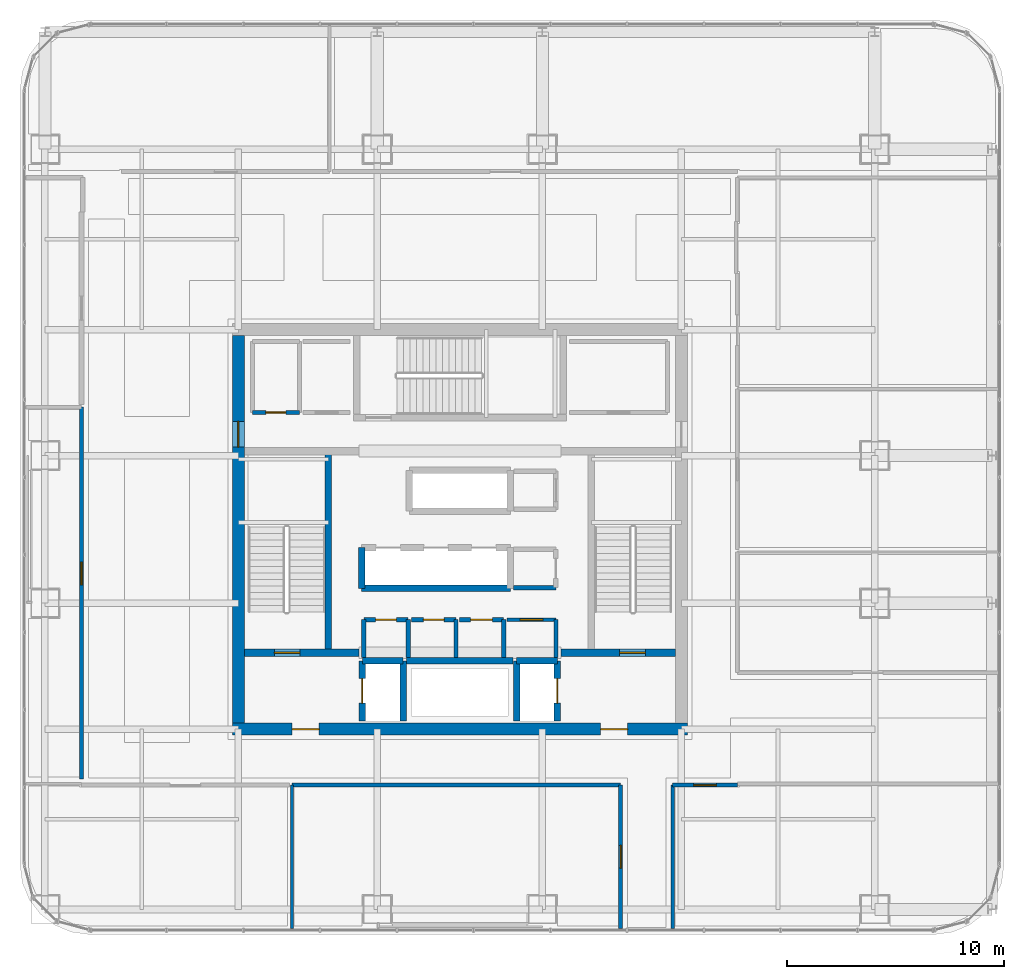
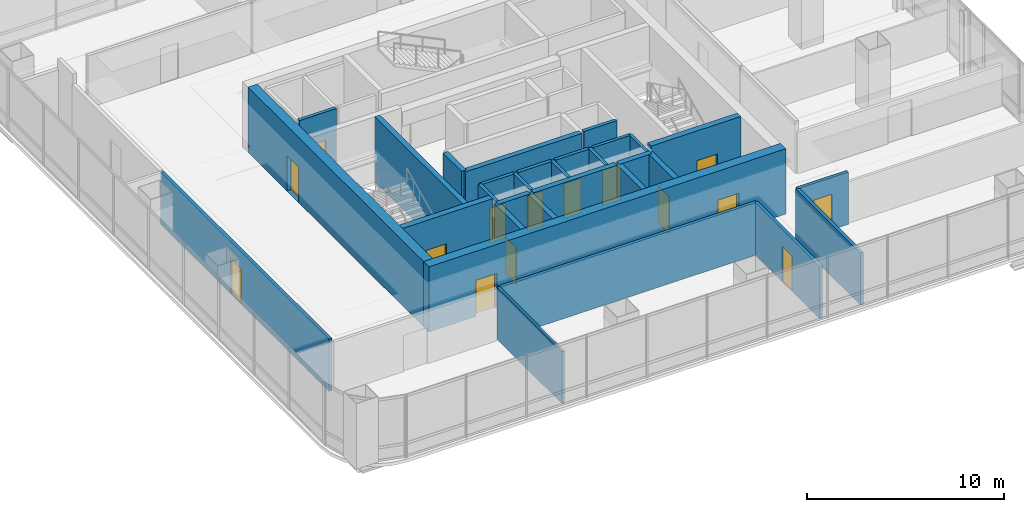
# One storey, part 33 of 42: 31 walls, 15 doors, 15 openings.
"""IFC4 building model written with IfcOpenShell, lengths in metres."""

from ifc_helpers import new_model, si_unit, direction, frame, frame_2d, origin, place, context, subcontext, project, spatial, rectangle, extrude, material, layer, layer_set, type_object, element, fill, save


model = new_model("IFC4")

# Units and contexts
model_context = context("Model", 3, precision=1e-05, world=origin(), true_north=direction((0.0, 1.0)))
body_context = subcontext(model_context, "Body", "Model", "MODEL_VIEW")
ifc_project = project(units=[si_unit("LENGTHUNIT", "METRE"), si_unit("AREAUNIT", "SQUARE_METRE"), si_unit("VOLUMEUNIT", "CUBIC_METRE"), si_unit("PLANEANGLEUNIT", "RADIAN"), si_unit("MASSUNIT", "GRAM", prefix="KILO")], contexts=[model_context])

# Site, building, storey
site_placement = place(None, origin())
site = spatial("IfcSite", under=ifc_project, at=site_placement, CompositionType="ELEMENT")
building_placement = place(site_placement, origin())
building = spatial("IfcBuilding", under=site, at=building_placement, Name="Punatoya Terracotta Tower", CompositionType="ELEMENT")
storey_placement = place(building_placement, frame((0.0, 0.0, 263.550048828125)))
storey = spatial("IfcBuildingStorey", under=building, at=storey_placement, Name="L62", CompositionType="ELEMENT", Elevation=263.550048828125)

# Wall, openings, doors
ifc_material_1 = material(Name="Concrete C50/60", Category="concrete")
ifc_layer_1 = layer(ifc_material_1, 0.550048828125)
ifc_layer_set_1 = layer_set([ifc_layer_1], Name="Concrete C50/60")
wall_type_1 = type_object("IfcWallType", Name="WL-COR-550", PredefinedType="SHEAR", material=ifc_layer_set_1)
wall_1_placement = place(storey_placement, frame((10.47509765625, -9.199951171875, 0.0), z_axis=(0.0, 0.0, 1.0), x_axis=(-1.0, 0.0, 0.0)))
wall_1 = element("IfcWall", 1, at=wall_1_placement, inside=storey, type_object=wall_type_1, Name="L62 Core Shear Wall S", PredefinedType="SHEAR", context=body_context, shape_type="SweptSolid", body=[
    extrude(rectangle(XDim=20.9501953125, YDim=0.550048828125, at=frame_2d((10.47509765625, 0.0))), origin(), (0.0, 0.0, 1.0), 4.050048828125),
])
opening_1_placement = place(wall_1_placement, frame((2.75, 0.0, 0.0)))
opening_1 = element("IfcOpeningElement", 2, at=opening_1_placement, cuts=wall_1, Name="Opening FD-L1", PredefinedType="OPENING", context=body_context, shape_type="SweptSolid", body=[
    extrude(rectangle(XDim=1.25, YDim=2.25, at=frame_2d((0.625, 1.125))), frame((0.0, 0.284912109375, 0.0), z_axis=(0.0, -1.0, 0.0), x_axis=(1.0, 0.0, 0.0)), (0.0, 0.0, 1.0), 0.570068359375),
])
opening_2_placement = place(wall_1_placement, frame((16.949951171875, 0.0, 0.0)))
opening_2 = element("IfcOpeningElement", 3, at=opening_2_placement, cuts=wall_1, Name="Opening FD-L1", PredefinedType="OPENING", context=body_context, shape_type="SweptSolid", body=[
    extrude(rectangle(XDim=1.25, YDim=2.25, at=frame_2d((0.625, 1.125))), frame((0.0, 0.284912109375, 0.0), z_axis=(0.0, -1.0, 0.0), x_axis=(1.0, 0.0, 0.0)), (0.0, 0.0, 1.0), 0.570068359375),
])
ifc_material_2 = material(Name="Galvanised Steel Smokeproof Fire Door", Category="steel")
door_type_1 = type_object("IfcDoorType", Name="DR-FFL-1250", OperationType="NOTDEFINED", PredefinedType="DOOR", material=ifc_material_2)
door_1_placement = place(opening_1_placement, origin())
door_1 = element("IfcDoor", 4, at=door_1_placement, inside=storey, type_object=door_type_1, Name="L62 East Firefighting Lobby Corridor Fire Door", OperationType="SINGLE_SWING_LEFT", OverallHeight=2.25, OverallWidth=1.25, PredefinedType="DOOR", context=body_context, shape_type="SweptSolid", body=[
    extrude(rectangle(XDim=1.25, YDim=2.25, at=frame_2d((0.625, 1.125))), frame((0.0, 0.02490234375, 0.0), z_axis=(0.0, -1.0, 0.0), x_axis=(1.0, 0.0, 0.0)), (0.0, 0.0, 1.0), 0.050048828125),
])
fill(opening_1, door_1)
door_2_placement = place(opening_2_placement, origin())
door_2 = element("IfcDoor", 5, at=door_2_placement, inside=storey, type_object=door_type_1, Name="L62 West Firefighting Lobby Corridor Fire Door", OperationType="SINGLE_SWING_RIGHT", OverallHeight=2.25, OverallWidth=1.25, PredefinedType="DOOR", context=body_context, shape_type="SweptSolid", body=[
    extrude(rectangle(XDim=1.25, YDim=2.25, at=frame_2d((0.625, 1.125))), frame((0.0, 0.02490234375, 0.0), z_axis=(0.0, -1.0, 0.0), x_axis=(1.0, 0.0, 0.0)), (0.0, 0.0, 1.0), 0.050048828125),
])
fill(opening_2, door_2)

# Wall, opening, door
wall_2_placement = place(storey_placement, frame((-10.199951171875, -8.925048828125, 0.0), z_axis=(0.0, 0.0, 1.0), x_axis=(0.0, 1.0, 0.0)))
wall_2 = element("IfcWall", 6, at=wall_2_placement, inside=storey, type_object=wall_type_1, Name="L62 Core Shear Wall W", PredefinedType="SHEAR", context=body_context, shape_type="SweptSolid", body=[
    extrude(rectangle(XDim=17.85009765625, YDim=0.550048828125, at=frame_2d((8.925048828125, 0.0))), origin(), (0.0, 0.0, 1.0), 4.050048828125),
])
opening_3_placement = place(wall_2_placement, frame((12.715087890625, 0.0, 0.0)))
opening_3 = element("IfcOpeningElement", 7, at=opening_3_placement, cuts=wall_2, Name="Opening SD-01", PredefinedType="OPENING", context=body_context, shape_type="SweptSolid", body=[
    extrude(rectangle(XDim=1.179931640625, YDim=2.199951171875, at=frame_2d((0.58984375, 1.10009765625))), frame((0.0, 0.284912109375, 0.0), z_axis=(0.0, -1.0, 0.0), x_axis=(1.0, 0.0, 0.0)), (0.0, 0.0, 1.0), 0.570068359375),
])
ifc_material_3 = material(Name="Galvanised Steel Pressurized Stair Fire Door", Category="steel")
door_type_2 = type_object("IfcDoorType", Name="DR-STR-1180", OperationType="NOTDEFINED", PredefinedType="DOOR", material=ifc_material_3)
door_3_placement = place(opening_3_placement, origin())
door_3 = element("IfcDoor", 8, at=door_3_placement, inside=storey, type_object=door_type_2, Name="L62 Central Lift Lobby West Fire Door", OperationType="SINGLE_SWING_LEFT", OverallHeight=2.199951171875, OverallWidth=1.179931640625, PredefinedType="DOOR", context=body_context, shape_type="SweptSolid", body=[
    extrude(rectangle(XDim=1.179931640625, YDim=2.199951171875, at=frame_2d((0.58984375, 1.10009765625))), frame((0.0, 0.02490234375, 0.0), z_axis=(0.0, -1.0, 0.0), x_axis=(1.0, 0.0, 0.0)), (0.0, 0.0, 1.0), 0.050048828125),
])
fill(opening_3, door_3)

# Wall
ifc_material_4 = material(Name="Gypsum Fireboard + Steel Stud", Category="steel")
ifc_layer_2 = layer(ifc_material_4, 0.179931640625)
ifc_layer_set_2 = layer_set([ifc_layer_2], Name="Gypsum Fireboard + Steel Stud")
wall_type_2 = type_object("IfcWallType", Name="WL-CORR-180", PredefinedType="PARTITIONING", material=ifc_layer_set_2)
wall_3_placement = place(storey_placement, frame((4.419921875, -5.89990234375, 0.0), z_axis=(0.0, 0.0, 1.0), x_axis=(0.0, 1.0, 0.0)))
element("IfcWall", 9, at=wall_3_placement, inside=storey, type_object=wall_type_2, Name="L62 Core Reprographics Studio Partition 08", PredefinedType="PARTITIONING", context=body_context, shape_type="SweptSolid", body=[
    extrude(rectangle(XDim=1.739990234375, YDim=0.179931640625, at=frame_2d((0.8701171875, 0.0))), origin(), (0.0, 0.0, 1.0), 3.849853515625),
])

# Wall, opening, door
wall_4_placement = place(storey_placement, frame((4.419921875, -4.159912109375, 0.0), z_axis=(0.0, 0.0, 1.0), x_axis=(-1.0, 0.0, 0.0)))
wall_4 = element("IfcWall", 10, at=wall_4_placement, inside=storey, type_object=wall_type_2, Name="L62 Core Reprographics Studio Partition 09", PredefinedType="PARTITIONING", context=body_context, shape_type="SweptSolid", body=[
    extrude(rectangle(XDim=2.239990234375, YDim=0.179931640625, at=frame_2d((1.1201171875, 0.0))), origin(), (0.0, 0.0, 1.0), 3.849853515625),
])
opening_4_placement = place(wall_4_placement, frame((0.594970703125, 0.0, 0.0)))
opening_4 = element("IfcOpeningElement", 11, at=opening_4_placement, cuts=wall_4, Name="Opening OD-01", PredefinedType="OPENING", context=body_context, shape_type="SweptSolid", body=[
    extrude(rectangle(XDim=1.050048828125, YDim=2.199951171875, at=frame_2d((0.52490234375, 1.10009765625))), frame((0.0, 0.099853515625, 0.0), z_axis=(0.0, -1.0, 0.0), x_axis=(1.0, 0.0, 0.0)), (0.0, 0.0, 1.0), 0.199951171875),
])
ifc_material_5 = material(Name="Bengal Teak Solid-Core Leaf")
door_type_3 = type_object("IfcDoorType", Name="DR-OFF-1050", OperationType="NOTDEFINED", PredefinedType="DOOR", material=ifc_material_5)
door_4_placement = place(opening_4_placement, origin())
door_4 = element("IfcDoor", 12, at=door_4_placement, inside=storey, type_object=door_type_3, Name="L62 Reprographics Studio Door", OperationType="SINGLE_SWING_RIGHT", OverallHeight=2.199951171875, OverallWidth=1.050048828125, PredefinedType="DOOR", context=body_context, shape_type="SweptSolid", body=[
    extrude(rectangle(XDim=1.050048828125, YDim=2.199951171875, at=frame_2d((0.52490234375, 1.10009765625))), frame((0.0, 0.02490234375, 0.0), z_axis=(0.0, -1.0, 0.0), x_axis=(1.0, 0.0, 0.0)), (0.0, 0.0, 1.0), 0.050048828125),
])
fill(opening_4, door_4)

wall_5_placement = place(storey_placement, frame((7.39990234375, -11.77001953125, 0.0), z_axis=(0.0, 0.0, 1.0), x_axis=(0.0, -1.0, 0.0)))
wall_5 = element("IfcWall", 13, at=wall_5_placement, inside=storey, type_object=wall_type_2, Name="L62 Open-Plan Client Media Salon Partition 25", PredefinedType="PARTITIONING", context=body_context, shape_type="SweptSolid", body=[
    extrude(rectangle(XDim=6.60009765625, YDim=0.179931640625, at=frame_2d((3.300048828125, 0.0))), origin(), (0.0, 0.0, 1.0), 3.243896484375),
])
opening_5_placement = place(wall_5_placement, frame((2.77490234375, 0.0, 0.0)))
opening_5 = element("IfcOpeningElement", 14, at=opening_5_placement, cuts=wall_5, Name="Opening OD-01", PredefinedType="OPENING", context=body_context, shape_type="SweptSolid", body=[
    extrude(rectangle(XDim=1.050048828125, YDim=2.199951171875, at=frame_2d((0.52490234375, 1.10009765625))), frame((0.0, 0.099853515625, 0.0), z_axis=(0.0, -1.0, 0.0), x_axis=(1.0, 0.0, 0.0)), (0.0, 0.0, 1.0), 0.199951171875),
])
door_5_placement = place(opening_5_placement, origin())
door_5 = element("IfcDoor", 15, at=door_5_placement, inside=storey, type_object=door_type_3, Name="L62 Open-Plan Client Media Salon Door", OperationType="SINGLE_SWING_RIGHT", OverallHeight=2.199951171875, OverallWidth=1.050048828125, PredefinedType="DOOR", context=body_context, shape_type="SweptSolid", body=[
    extrude(rectangle(XDim=1.050048828125, YDim=2.199951171875, at=frame_2d((0.52490234375, 1.10009765625))), frame((0.0, 0.02490234375, 0.0), z_axis=(0.0, -1.0, 0.0), x_axis=(1.0, 0.0, 0.0)), (0.0, 0.0, 1.0), 0.050048828125),
])
fill(opening_5, door_5)

# Wall
wall_6_placement = place(storey_placement, frame((-7.72607421875, -11.77001953125, 0.0), z_axis=(0.0, 0.0, 1.0), x_axis=(1.0, 0.0, 0.0)))
element("IfcWall", 16, at=wall_6_placement, inside=storey, type_object=wall_type_2, Name="L62 Open-Plan Client Media Salon Partition 27", PredefinedType="PARTITIONING", context=body_context, shape_type="SweptSolid", body=[
    extrude(rectangle(XDim=15.1259765625, YDim=0.179931640625, at=frame_2d((7.56298828125, 0.0))), origin(), (0.0, 0.0, 1.0), 3.243896484375),
])

# Wall, opening, door
wall_7_placement = place(storey_placement, frame((9.800048828125, -11.77001953125, 0.0), z_axis=(0.0, 0.0, 1.0), x_axis=(1.0, 0.0, 0.0)))
wall_7 = element("IfcWall", 17, at=wall_7_placement, inside=storey, type_object=wall_type_2, Name="L62 Open-Plan Graphic Design Workplace Partition 30", PredefinedType="PARTITIONING", context=body_context, shape_type="SweptSolid", body=[
    extrude(rectangle(XDim=2.969970703125, YDim=0.179931640625, at=frame_2d((1.48486328125, 0.0))), origin(), (0.0, 0.0, 1.0), 3.243896484375),
])
opening_6_placement = place(wall_7_placement, frame((0.9599609375, 0.0, 0.0)))
opening_6 = element("IfcOpeningElement", 18, at=opening_6_placement, cuts=wall_7, Name="Opening OD-01", PredefinedType="OPENING", context=body_context, shape_type="SweptSolid", body=[
    extrude(rectangle(XDim=1.050048828125, YDim=2.199951171875, at=frame_2d((0.52490234375, 1.10009765625))), frame((0.0, 0.099853515625, 0.0), z_axis=(0.0, -1.0, 0.0), x_axis=(1.0, 0.0, 0.0)), (0.0, 0.0, 1.0), 0.199951171875),
])
door_6_placement = place(opening_6_placement, origin())
door_6 = element("IfcDoor", 19, at=door_6_placement, inside=storey, type_object=door_type_3, Name="L62 Open-Plan Graphic Design Workplace Door", OperationType="SINGLE_SWING_RIGHT", OverallHeight=2.199951171875, OverallWidth=1.050048828125, PredefinedType="DOOR", context=body_context, shape_type="SweptSolid", body=[
    extrude(rectangle(XDim=1.050048828125, YDim=2.199951171875, at=frame_2d((0.52490234375, 1.10009765625))), frame((0.0, 0.02490234375, 0.0), z_axis=(0.0, -1.0, 0.0), x_axis=(1.0, 0.0, 0.0)), (0.0, 0.0, 1.0), 0.050048828125),
])
fill(opening_6, door_6)

# Wall
wall_8_placement = place(storey_placement, frame((9.800048828125, -18.3701171875, 0.0), z_axis=(0.0, 0.0, 1.0), x_axis=(0.0, 1.0, 0.0)))
element("IfcWall", 20, at=wall_8_placement, inside=storey, type_object=wall_type_2, Name="L62 Open-Plan Graphic Design Workplace Partition 32", PredefinedType="PARTITIONING", context=body_context, shape_type="SweptSolid", body=[
    extrude(rectangle(XDim=6.60009765625, YDim=0.179931640625, at=frame_2d((3.300048828125, 0.0))), origin(), (0.0, 0.0, 1.0), 3.243896484375),
])

# Wall, opening, door
wall_9_placement = place(storey_placement, frame((-17.419921875, 5.6259765625, 0.0), z_axis=(0.0, 0.0, 1.0), x_axis=(0.0, -1.0, 0.0)))
wall_9 = element("IfcWall", 21, at=wall_9_placement, inside=storey, type_object=wall_type_2, Name="L62 Open-Plan Hospitality Tea Pantry Partition 37", PredefinedType="PARTITIONING", context=body_context, shape_type="SweptSolid", body=[
    extrude(rectangle(XDim=17.115966796875, YDim=0.179931640625, at=frame_2d((8.55810546875, 0.0))), origin(), (0.0, 0.0, 1.0), 3.243896484375),
])
opening_7_placement = place(wall_9_placement, frame((7.133056640625, 0.0, 0.0)))
opening_7 = element("IfcOpeningElement", 22, at=opening_7_placement, cuts=wall_9, Name="Opening OD-01", PredefinedType="OPENING", context=body_context, shape_type="SweptSolid", body=[
    extrude(rectangle(XDim=1.050048828125, YDim=2.199951171875, at=frame_2d((0.52490234375, 1.10009765625))), frame((0.0, 0.099853515625, 0.0), z_axis=(0.0, -1.0, 0.0), x_axis=(1.0, 0.0, 0.0)), (0.0, 0.0, 1.0), 0.199951171875),
])
door_7_placement = place(opening_7_placement, origin())
door_7 = element("IfcDoor", 23, at=door_7_placement, inside=storey, type_object=door_type_3, Name="L62 Open-Plan Hospitality Tea Pantry Door", OperationType="SINGLE_SWING_RIGHT", OverallHeight=2.199951171875, OverallWidth=1.050048828125, PredefinedType="DOOR", context=body_context, shape_type="SweptSolid", body=[
    extrude(rectangle(XDim=1.050048828125, YDim=2.199951171875, at=frame_2d((0.52490234375, 1.10009765625))), frame((0.0, 0.02490234375, 0.0), z_axis=(0.0, -1.0, 0.0), x_axis=(1.0, 0.0, 0.0)), (0.0, 0.0, 1.0), 0.050048828125),
])
fill(opening_7, door_7)

# Wall
ifc_material_6 = material(Name="Concrete C40/50", Category="concrete")
ifc_layer_3 = layer(ifc_material_6, 0.199951171875)
ifc_layer_set_3 = layer_set([ifc_layer_3], Name="Concrete C40/50")
wall_type_3 = type_object("IfcWallType", Name="WL-INT-200", PredefinedType="SOLIDWALL", material=ifc_layer_set_3)
wall_10_placement = place(storey_placement, frame((-2.3798828125, -5.89990234375, 0.0), z_axis=(0.0, 0.0, 1.0), x_axis=(0.0, 1.0, 0.0)))
element("IfcWall", 24, at=wall_10_placement, inside=storey, type_object=wall_type_3, Name="L62 Male Washroom Partition 01", PredefinedType="SOLIDWALL", context=body_context, shape_type="SweptSolid", body=[
    extrude(rectangle(XDim=1.739990234375, YDim=0.199951171875, at=frame_2d((0.8701171875, 0.0))), origin(), (0.0, 0.0, 1.0), 3.849853515625),
])

# Wall, opening, door
wall_11_placement = place(storey_placement, frame((-2.3798828125, -4.159912109375, 0.0), z_axis=(0.0, 0.0, 1.0), x_axis=(-1.0, 0.0, 0.0)))
wall_11 = element("IfcWall", 25, at=wall_11_placement, inside=storey, type_object=wall_type_3, Name="L62 Male Washroom Partition 02", PredefinedType="SOLIDWALL", context=body_context, shape_type="SweptSolid", body=[
    extrude(rectangle(XDim=2.0400390625, YDim=0.199951171875, at=frame_2d((1.02001953125, 0.0))), origin(), (0.0, 0.0, 1.0), 3.849853515625),
])
opening_8_placement = place(wall_11_placement, frame((0.544921875, 0.0, 0.0)))
opening_8 = element("IfcOpeningElement", 26, at=opening_8_placement, cuts=wall_11, Name="Opening WD-01", PredefinedType="OPENING", context=body_context, shape_type="SweptSolid", body=[
    extrude(rectangle(XDim=0.949951171875, YDim=2.14990234375, at=frame_2d((0.47509765625, 1.074951171875))), frame((0.0, 0.10986328125, 0.0), z_axis=(0.0, -1.0, 0.0), x_axis=(1.0, 0.0, 0.0)), (0.0, 0.0, 1.0), 0.219970703125),
])
ifc_material_7 = material(Name="Moisture-Resistant Laminate Timber Leaf", Category="wood")
door_type_4 = type_object("IfcDoorType", Name="DR-WC-950", OperationType="NOTDEFINED", PredefinedType="DOOR", material=ifc_material_7)
door_8_placement = place(opening_8_placement, origin())
door_8 = element("IfcDoor", 27, at=door_8_placement, inside=storey, type_object=door_type_4, Name="L62 Male Washroom Door", OperationType="SINGLE_SWING_LEFT", OverallHeight=2.14990234375, OverallWidth=0.949951171875, PredefinedType="DOOR", context=body_context, shape_type="SweptSolid", body=[
    extrude(rectangle(XDim=0.949951171875, YDim=2.14990234375, at=frame_2d((0.47509765625, 1.074951171875))), frame((0.0, 0.02490234375, 0.0), z_axis=(0.0, -1.0, 0.0), x_axis=(1.0, 0.0, 0.0)), (0.0, 0.0, 1.0), 0.050048828125),
])
fill(opening_8, door_8)

# Walls
for number, where, z_axis, x_axis, name in (
    (28, (-4.419921875, -4.159912109375, 0.0), (0.0, 0.0, 1.0), (0.0, -1.0, 0.0), "L62 Male Washroom Partition 03"),
    (29, (-0.179931640625, -5.89990234375, 0.0), (0.0, 0.0, 1.0), (0.0, 1.0, 0.0), "L62 Female Washroom Partition 04"),
):
    element("IfcWall", number, at=place(storey_placement, frame(where, z_axis=z_axis, x_axis=x_axis)), inside=storey, type_object=wall_type_3, Name=name, PredefinedType="SOLIDWALL", context=body_context, shape_type="SweptSolid", body=[
        extrude(rectangle(XDim=1.739990234375, YDim=0.199951171875, at=frame_2d((0.8701171875, 0.0))), origin(), (0.0, 0.0, 1.0), 3.849853515625),
    ])

# Wall, opening, door
wall_12_placement = place(storey_placement, frame((-0.179931640625, -4.159912109375, 0.0), z_axis=(0.0, 0.0, 1.0), x_axis=(-1.0, 0.0, 0.0)))
wall_12 = element("IfcWall", 30, at=wall_12_placement, inside=storey, type_object=wall_type_3, Name="L62 Female Washroom Partition 05", PredefinedType="SOLIDWALL", context=body_context, shape_type="SweptSolid", body=[
    extrude(rectangle(XDim=2.0400390625, YDim=0.199951171875, at=frame_2d((1.02001953125, 0.0))), origin(), (0.0, 0.0, 1.0), 3.849853515625),
])
opening_9_placement = place(wall_12_placement, frame((0.544921875, 0.0, 0.0)))
opening_9 = element("IfcOpeningElement", 31, at=opening_9_placement, cuts=wall_12, Name="Opening WD-01", PredefinedType="OPENING", context=body_context, shape_type="SweptSolid", body=[
    extrude(rectangle(XDim=0.949951171875, YDim=2.14990234375, at=frame_2d((0.47509765625, 1.074951171875))), frame((0.0, 0.10986328125, 0.0), z_axis=(0.0, -1.0, 0.0), x_axis=(1.0, 0.0, 0.0)), (0.0, 0.0, 1.0), 0.219970703125),
])
door_9_placement = place(opening_9_placement, origin())
door_9 = element("IfcDoor", 32, at=door_9_placement, inside=storey, type_object=door_type_4, Name="L62 Female Washroom Door", OperationType="SINGLE_SWING_RIGHT", OverallHeight=2.14990234375, OverallWidth=0.949951171875, PredefinedType="DOOR", context=body_context, shape_type="SweptSolid", body=[
    extrude(rectangle(XDim=0.949951171875, YDim=2.14990234375, at=frame_2d((0.47509765625, 1.074951171875))), frame((0.0, 0.02490234375, 0.0), z_axis=(0.0, -1.0, 0.0), x_axis=(1.0, 0.0, 0.0)), (0.0, 0.0, 1.0), 0.050048828125),
])
fill(opening_9, door_9)

# Wall
wall_13_placement = place(storey_placement, frame((2.02001953125, -5.89990234375, 0.0), z_axis=(0.0, 0.0, 1.0), x_axis=(0.0, 1.0, 0.0)))
element("IfcWall", 33, at=wall_13_placement, inside=storey, type_object=wall_type_3, Name="L62 Accessible Universal Washroom Partition 06", PredefinedType="SOLIDWALL", context=body_context, shape_type="SweptSolid", body=[
    extrude(rectangle(XDim=1.739990234375, YDim=0.199951171875, at=frame_2d((0.8701171875, 0.0))), origin(), (0.0, 0.0, 1.0), 3.849853515625),
])

# Wall, opening, door
wall_14_placement = place(storey_placement, frame((2.02001953125, -4.159912109375, 0.0), z_axis=(0.0, 0.0, 1.0), x_axis=(-1.0, 0.0, 0.0)))
wall_14 = element("IfcWall", 34, at=wall_14_placement, inside=storey, type_object=wall_type_3, Name="L62 Accessible Universal Washroom Partition 07", PredefinedType="SOLIDWALL", context=body_context, shape_type="SweptSolid", body=[
    extrude(rectangle(XDim=2.0400390625, YDim=0.199951171875, at=frame_2d((1.02001953125, 0.0))), origin(), (0.0, 0.0, 1.0), 3.849853515625),
])
opening_10_placement = place(wall_14_placement, frame((0.52001953125, 0.0, 0.0)))
opening_10 = element("IfcOpeningElement", 35, at=opening_10_placement, cuts=wall_14, Name="Opening AWD-1", PredefinedType="OPENING", context=body_context, shape_type="SweptSolid", body=[
    extrude(rectangle(XDim=1.0, YDim=2.14990234375, at=frame_2d((0.5, 1.074951171875))), frame((0.0, 0.10986328125, 0.0), z_axis=(0.0, -1.0, 0.0), x_axis=(1.0, 0.0, 0.0)), (0.0, 0.0, 1.0), 0.219970703125),
])
ifc_material_8 = material(Name="Bengal Teak Accessible WC Leaf")
door_type_5 = type_object("IfcDoorType", Name="DR-ACC-1000", OperationType="NOTDEFINED", PredefinedType="DOOR", material=ifc_material_8)
door_10_placement = place(opening_10_placement, origin())
door_10 = element("IfcDoor", 36, at=door_10_placement, inside=storey, type_object=door_type_5, Name="L62 Accessible Universal Washroom Door", OperationType="SINGLE_SWING_LEFT", OverallHeight=2.14990234375, OverallWidth=1.0, PredefinedType="DOOR", context=body_context, shape_type="SweptSolid", body=[
    extrude(rectangle(XDim=1.0, YDim=2.14990234375, at=frame_2d((0.5, 1.074951171875))), frame((0.0, 0.02490234375, 0.0), z_axis=(0.0, -1.0, 0.0), x_axis=(1.0, 0.0, 0.0)), (0.0, 0.0, 1.0), 0.050048828125),
])
fill(opening_10, door_10)

# Wall
wall_15_placement = place(storey_placement, frame((2.47998046875, -2.679931640625, 0.0), z_axis=(0.0, 0.0, 1.0), x_axis=(1.0, 0.0, 0.0)))
element("IfcWall", 37, at=wall_15_placement, inside=storey, type_object=wall_type_3, Name="L62 East Core Reprographics Store Partition 12", PredefinedType="SOLIDWALL", context=body_context, shape_type="SweptSolid", body=[
    extrude(rectangle(XDim=1.93994140625, YDim=0.199951171875, at=frame_2d((0.969970703125, 0.0))), origin(), (0.0, 0.0, 1.0), 3.849853515625),
])

# Wall, opening, door
wall_16_placement = place(storey_placement, frame((-9.550048828125, 5.3798828125, 0.0), z_axis=(0.0, 0.0, 1.0), x_axis=(1.0, 0.0, 0.0)))
wall_16 = element("IfcWall", 38, at=wall_16_placement, inside=storey, type_object=wall_type_3, Name="L62 West Core Archive Vault Partition 19", PredefinedType="SOLIDWALL", context=body_context, shape_type="SweptSolid", body=[
    extrude(rectangle(XDim=2.170166015625, YDim=0.199951171875, at=frame_2d((1.0849609375, 0.0))), origin(), (0.0, 0.0, 1.0), 3.849853515625),
])
opening_11_placement = place(wall_16_placement, frame((0.625, 0.0, 0.0)))
opening_11 = element("IfcOpeningElement", 39, at=opening_11_placement, cuts=wall_16, Name="Opening FD-R1", PredefinedType="OPENING", context=body_context, shape_type="SweptSolid", body=[
    extrude(rectangle(XDim=0.919921875, YDim=2.10009765625, at=frame_2d((0.4599609375, 1.050048828125))), frame((0.0, 0.10986328125, 0.0), z_axis=(0.0, -1.0, 0.0), x_axis=(1.0, 0.0, 0.0)), (0.0, 0.0, 1.0), 0.219970703125),
])
ifc_material_9 = material(Name="Galvanised Steel Riser Fire Access Door", Category="steel")
door_type_6 = type_object("IfcDoorType", Name="DR-RSR-920", OperationType="NOTDEFINED", PredefinedType="DOOR", material=ifc_material_9)
door_11_placement = place(opening_11_placement, origin())
door_11 = element("IfcDoor", 40, at=door_11_placement, inside=storey, type_object=door_type_6, Name="L62 West Core Archive Vault Fire Door", OperationType="SINGLE_SWING_LEFT", OverallHeight=2.10009765625, OverallWidth=0.919921875, PredefinedType="DOOR", context=body_context, shape_type="SweptSolid", body=[
    extrude(rectangle(XDim=0.919921875, YDim=2.10009765625, at=frame_2d((0.4599609375, 1.050048828125))), frame((0.0, 0.02490234375, 0.0), z_axis=(0.0, -1.0, 0.0), x_axis=(1.0, 0.0, 0.0)), (0.0, 0.0, 1.0), 0.050048828125),
])
fill(opening_11, door_11)

# Walls
ifc_material_10 = material(Name="Acoustic Gypsum + Steel Stud", Category="steel")
ifc_layer_4 = layer(ifc_material_10, 0.139892578125)
ifc_layer_set_4 = layer_set([ifc_layer_4], Name="Acoustic Gypsum + Steel Stud")
wall_type_4 = type_object("IfcWallType", Name="WL-OFF-140", PredefinedType="PARTITIONING", material=ifc_layer_set_4)
wall_17_placement = place(storey_placement, frame((-7.72607421875, -18.3701171875, 0.0), z_axis=(0.0, 0.0, 1.0), x_axis=(0.0, 1.0, 0.0)))
element("IfcWall", 41, at=wall_17_placement, inside=storey, type_object=wall_type_4, Name="L62 Open-Plan Client Media Salon Partition 26", PredefinedType="PARTITIONING", context=body_context, shape_type="SweptSolid", body=[
    extrude(rectangle(XDim=6.60009765625, YDim=0.139892578125, at=frame_2d((3.300048828125, 0.0))), origin(), (0.0, 0.0, 1.0), 3.243896484375),
])
ifc_layer_5 = layer(ifc_material_6, 0.300048828125)
ifc_layer_set_5 = layer_set([ifc_layer_5], Name="Concrete C40/50")
wall_type_5 = type_object("IfcWallType", Name="WL-SHF-300", PredefinedType="SOLIDWALL", material=ifc_layer_set_5)
wall_18_placement = place(storey_placement, frame((-6.050048828125, -5.5, 0.0), z_axis=(0.0, 0.0, 1.0), x_axis=(0.0, 1.0, 0.0)))
element("IfcWall", 42, at=wall_18_placement, inside=storey, type_object=wall_type_5, Name="L62 Structural Stair Shaft Wall SW-ST1-E", PredefinedType="SOLIDWALL", context=body_context, shape_type="SweptSolid", body=[
    extrude(rectangle(XDim=8.949951171875, YDim=0.300048828125, at=frame_2d((4.47509765625, 0.0))), origin(), (0.0, 0.0, 1.0), 4.050048828125),
])

# Wall, opening, door
wall_19_placement = place(storey_placement, frame((-4.489990234375, -8.820068359375, 0.0), z_axis=(0.0, 0.0, 1.0), x_axis=(0.0, 1.0, 0.0)))
wall_19 = element("IfcWall", 43, at=wall_19_placement, inside=storey, type_object=wall_type_5, Name="L62 FFL-1 Front Hoistway Wall", PredefinedType="SOLIDWALL", context=body_context, shape_type="SweptSolid", body=[
    extrude(rectangle(XDim=2.77001953125, YDim=0.300048828125, at=frame_2d((1.385009765625, 0.0))), origin(), (0.0, 0.0, 1.0), 3.849853515625),
])
opening_12_placement = place(wall_19_placement, frame((0.824951171875, 0.0, 0.0)))
opening_12 = element("IfcOpeningElement", 44, at=opening_12_placement, cuts=wall_19, Name="Opening LD-02", PredefinedType="OPENING", context=body_context, shape_type="SweptSolid", body=[
    extrude(rectangle(XDim=1.1201171875, YDim=2.25, at=frame_2d((0.56005859375, 1.125))), frame((0.0, 0.159912109375, 0.0), z_axis=(0.0, -1.0, 0.0), x_axis=(1.0, 0.0, 0.0)), (0.0, 0.0, 1.0), 0.320068359375),
])
ifc_material_11 = material(Name="Stainless Steel Lift Landing Door", Category="steel")
door_type_7 = type_object("IfcDoorType", Name="DR-LND-1120", OperationType="NOTDEFINED", PredefinedType="DOOR", material=ifc_material_11)
door_12_placement = place(opening_12_placement, origin())
door_12 = element("IfcDoor", 45, at=door_12_placement, inside=storey, type_object=door_type_7, Name="L62 Firefighting Lift FFL-1 Sliding Landing Door", OperationType="SLIDING_TO_LEFT", OverallHeight=2.25, OverallWidth=1.1201171875, PredefinedType="DOOR", context=body_context, shape_type="SweptSolid", body=[
    extrude(rectangle(XDim=1.1201171875, YDim=2.25, at=frame_2d((0.56005859375, 1.125))), frame((0.0, 0.02490234375, 0.0), z_axis=(0.0, -1.0, 0.0), x_axis=(1.0, 0.0, 0.0)), (0.0, 0.0, 1.0), 0.050048828125),
])
fill(opening_12, door_12)

# Walls
wall_20_placement = place(storey_placement, frame((-2.610107421875, -8.820068359375, 0.0), z_axis=(0.0, 0.0, 1.0), x_axis=(0.0, 1.0, 0.0)))
element("IfcWall", 46, at=wall_20_placement, inside=storey, type_object=wall_type_5, Name="L62 FFL-1 Rear Hoistway Wall", PredefinedType="SOLIDWALL", context=body_context, shape_type="SweptSolid", body=[
    extrude(rectangle(XDim=2.77001953125, YDim=0.300048828125, at=frame_2d((1.385009765625, 0.0))), origin(), (0.0, 0.0, 1.0), 3.849853515625),
])
wall_21_placement = place(storey_placement, frame((-4.489990234375, -6.050048828125, 0.0), z_axis=(0.0, 0.0, 1.0), x_axis=(1.0, 0.0, 0.0)))
element("IfcWall", 47, at=wall_21_placement, inside=storey, type_object=wall_type_5, Name="L62 FFL-1 North Hoistway Wall", PredefinedType="SOLIDWALL", context=body_context, shape_type="SweptSolid", body=[
    extrude(rectangle(XDim=1.8798828125, YDim=0.300048828125, at=frame_2d((0.93994140625, 0.0))), origin(), (0.0, 0.0, 1.0), 3.849853515625),
])

# Wall, opening, door
wall_22_placement = place(storey_placement, frame((4.489990234375, -8.820068359375, 0.0), z_axis=(0.0, 0.0, 1.0), x_axis=(0.0, 1.0, 0.0)))
wall_22 = element("IfcWall", 48, at=wall_22_placement, inside=storey, type_object=wall_type_5, Name="L62 FFL-2 Front Hoistway Wall", PredefinedType="SOLIDWALL", context=body_context, shape_type="SweptSolid", body=[
    extrude(rectangle(XDim=2.77001953125, YDim=0.300048828125, at=frame_2d((1.385009765625, 0.0))), origin(), (0.0, 0.0, 1.0), 3.849853515625),
])
opening_13_placement = place(wall_22_placement, frame((0.824951171875, 0.0, 0.0)))
opening_13 = element("IfcOpeningElement", 49, at=opening_13_placement, cuts=wall_22, Name="Opening LD-02", PredefinedType="OPENING", context=body_context, shape_type="SweptSolid", body=[
    extrude(rectangle(XDim=1.1201171875, YDim=2.25, at=frame_2d((0.56005859375, 1.125))), frame((0.0, 0.159912109375, 0.0), z_axis=(0.0, -1.0, 0.0), x_axis=(1.0, 0.0, 0.0)), (0.0, 0.0, 1.0), 0.320068359375),
])
door_13_placement = place(opening_13_placement, origin())
door_13 = element("IfcDoor", 50, at=door_13_placement, inside=storey, type_object=door_type_7, Name="L62 Firefighting Lift FFL-2 Sliding Landing Door", OperationType="SLIDING_TO_RIGHT", OverallHeight=2.25, OverallWidth=1.1201171875, PredefinedType="DOOR", context=body_context, shape_type="SweptSolid", body=[
    extrude(rectangle(XDim=1.1201171875, YDim=2.25, at=frame_2d((0.56005859375, 1.125))), frame((0.0, 0.02490234375, 0.0), z_axis=(0.0, -1.0, 0.0), x_axis=(1.0, 0.0, 0.0)), (0.0, 0.0, 1.0), 0.050048828125),
])
fill(opening_13, door_13)

# Walls
wall_23_placement = place(storey_placement, frame((2.610107421875, -8.820068359375, 0.0), z_axis=(0.0, 0.0, 1.0), x_axis=(0.0, 1.0, 0.0)))
element("IfcWall", 51, at=wall_23_placement, inside=storey, type_object=wall_type_5, Name="L62 FFL-2 Rear Hoistway Wall", PredefinedType="SOLIDWALL", context=body_context, shape_type="SweptSolid", body=[
    extrude(rectangle(XDim=2.77001953125, YDim=0.300048828125, at=frame_2d((1.385009765625, 0.0))), origin(), (0.0, 0.0, 1.0), 3.849853515625),
])
wall_24_placement = place(storey_placement, frame((2.610107421875, -6.050048828125, 0.0), z_axis=(0.0, 0.0, 1.0), x_axis=(1.0, 0.0, 0.0)))
element("IfcWall", 52, at=wall_24_placement, inside=storey, type_object=wall_type_5, Name="L62 FFL-2 North Hoistway Wall", PredefinedType="SOLIDWALL", context=body_context, shape_type="SweptSolid", body=[
    extrude(rectangle(XDim=1.8798828125, YDim=0.300048828125, at=frame_2d((0.93994140625, 0.0))), origin(), (0.0, 0.0, 1.0), 3.849853515625),
])
wall_25_placement = place(storey_placement, frame((-4.52001953125, -2.719970703125, 0.0), z_axis=(0.0, 0.0, 1.0), x_axis=(1.0, 0.0, 0.0)))
element("IfcWall", 53, at=wall_25_placement, inside=storey, type_object=wall_type_5, Name="L62 South Lift Bank Rear Shaft Wall", PredefinedType="SOLIDWALL", context=body_context, shape_type="SweptSolid", body=[
    extrude(rectangle(XDim=6.840087890625, YDim=0.300048828125, at=frame_2d((3.419921875, 0.0))), origin(), (0.0, 0.0, 1.0), 3.849853515625),
])
wall_26_placement = place(storey_placement, frame((-4.52001953125, -2.719970703125, 0.0), z_axis=(0.0, 0.0, 1.0), x_axis=(0.0, 1.0, 0.0)))
element("IfcWall", 54, at=wall_26_placement, inside=storey, type_object=wall_type_5, Name="L62 South Lift Bank West End Wall", PredefinedType="SOLIDWALL", context=body_context, shape_type="SweptSolid", body=[
    extrude(rectangle(XDim=1.8798828125, YDim=0.300048828125, at=frame_2d((0.93994140625, 0.0))), origin(), (0.0, 0.0, 1.0), 3.849853515625),
])
wall_27_placement = place(storey_placement, frame((-2.449951171875, -6.050048828125, 0.0), z_axis=(0.0, 0.0, 1.0), x_axis=(1.0, 0.0, 0.0)))
element("IfcWall", 55, at=wall_27_placement, inside=storey, type_object=wall_type_5, Name="L62 Observation Shuttle Rear Hoistway Wall", PredefinedType="SOLIDWALL", context=body_context, shape_type="SweptSolid", body=[
    extrude(rectangle(XDim=4.89990234375, YDim=0.300048828125, at=frame_2d((2.449951171875, 0.0))), origin(), (0.0, 0.0, 1.0), 3.849853515625),
])

# Wall, opening, door
ifc_layer_6 = layer(ifc_material_1, 0.35009765625)
ifc_layer_set_6 = layer_set([ifc_layer_6], Name="Concrete C50/60")
wall_type_6 = type_object("IfcWallType", Name="WL-SHF-350", PredefinedType="SOLIDWALL", material=ifc_layer_set_6)
wall_28_placement = place(storey_placement, frame((-9.925048828125, -5.679931640625, 0.0), z_axis=(0.0, 0.0, 1.0), x_axis=(1.0, 0.0, 0.0)))
wall_28 = element("IfcWall", 56, at=wall_28_placement, inside=storey, type_object=wall_type_6, Name="L62 Core Web Wall CSW-L", PredefinedType="SOLIDWALL", context=body_context, shape_type="SweptSolid", body=[
    extrude(rectangle(XDim=5.275146484375, YDim=0.35009765625, at=frame_2d((2.6376953125, 0.0))), origin(), (0.0, 0.0, 1.0), 4.050048828125),
])
opening_14_placement = place(wall_28_placement, frame((1.385009765625, 0.0, 0.0)))
opening_14 = element("IfcOpeningElement", 57, at=opening_14_placement, cuts=wall_28, Name="Opening SD-01", PredefinedType="OPENING", context=body_context, shape_type="SweptSolid", body=[
    extrude(rectangle(XDim=1.179931640625, YDim=2.199951171875, at=frame_2d((0.58984375, 1.10009765625))), frame((0.0, 0.18505859375, 0.0), z_axis=(0.0, -1.0, 0.0), x_axis=(1.0, 0.0, 0.0)), (0.0, 0.0, 1.0), 0.3701171875),
])
door_14_placement = place(opening_14_placement, origin())
door_14 = element("IfcDoor", 58, at=door_14_placement, inside=storey, type_object=door_type_2, Name="L62 Stair ST-1 Smokeproof Lobby Fire Door", OperationType="SINGLE_SWING_LEFT", OverallHeight=2.199951171875, OverallWidth=1.179931640625, PredefinedType="DOOR", context=body_context, shape_type="SweptSolid", body=[
    extrude(rectangle(XDim=1.179931640625, YDim=2.199951171875, at=frame_2d((0.58984375, 1.10009765625))), frame((0.0, 0.02490234375, 0.0), z_axis=(0.0, -1.0, 0.0), x_axis=(1.0, 0.0, 0.0)), (0.0, 0.0, 1.0), 0.050048828125),
])
fill(opening_14, door_14)

wall_29_placement = place(storey_placement, frame((4.64990234375, -5.679931640625, 0.0), z_axis=(0.0, 0.0, 1.0), x_axis=(1.0, 0.0, 0.0)))
wall_29 = element("IfcWall", 59, at=wall_29_placement, inside=storey, type_object=wall_type_6, Name="L62 Core Web Wall CSW-R", PredefinedType="SOLIDWALL", context=body_context, shape_type="SweptSolid", body=[
    extrude(rectangle(XDim=5.275146484375, YDim=0.35009765625, at=frame_2d((2.6376953125, 0.0))), origin(), (0.0, 0.0, 1.0), 4.050048828125),
])
opening_15_placement = place(wall_29_placement, frame((2.7099609375, 0.0, 0.0)))
opening_15 = element("IfcOpeningElement", 60, at=opening_15_placement, cuts=wall_29, Name="Opening SD-01", PredefinedType="OPENING", context=body_context, shape_type="SweptSolid", body=[
    extrude(rectangle(XDim=1.179931640625, YDim=2.199951171875, at=frame_2d((0.58984375, 1.10009765625))), frame((0.0, 0.18505859375, 0.0), z_axis=(0.0, -1.0, 0.0), x_axis=(1.0, 0.0, 0.0)), (0.0, 0.0, 1.0), 0.3701171875),
])
door_15_placement = place(opening_15_placement, origin())
door_15 = element("IfcDoor", 61, at=door_15_placement, inside=storey, type_object=door_type_2, Name="L62 Stair ST-2 Smokeproof Lobby Fire Door", OperationType="SINGLE_SWING_RIGHT", OverallHeight=2.199951171875, OverallWidth=1.179931640625, PredefinedType="DOOR", context=body_context, shape_type="SweptSolid", body=[
    extrude(rectangle(XDim=1.179931640625, YDim=2.199951171875, at=frame_2d((0.58984375, 1.10009765625))), frame((0.0, 0.02490234375, 0.0), z_axis=(0.0, -1.0, 0.0), x_axis=(1.0, 0.0, 0.0)), (0.0, 0.0, 1.0), 0.050048828125),
])
fill(opening_15, door_15)

save(model, "model.ifc")
